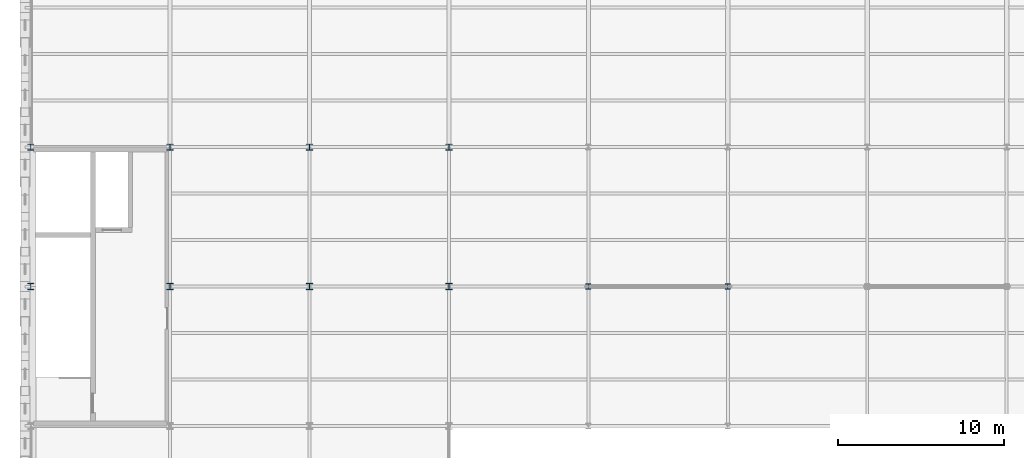
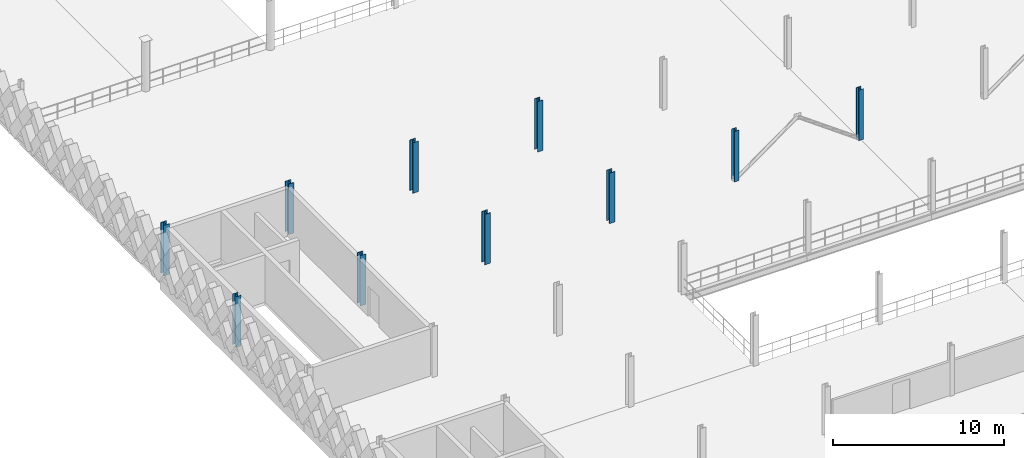
# One storey, part 7 of 47: 10 columns.
"""IFC4 building model written with IfcOpenShell, lengths in metres."""

from ifc_helpers import new_model, si_unit, direction, frame, origin, origin_2d, place, context, subcontext, project, spatial, i_section, extrude, material, material_profile, profile_set, type_object, element, save


model = new_model("IFC4")

# Units and contexts
model_context = context("Model", 3, precision=1e-05, world=origin(), true_north=direction((0.0, 1.0)))
body_context = subcontext(model_context, "Body", "Model", "MODEL_VIEW")
ifc_project = project(units=[si_unit("LENGTHUNIT", "METRE"), si_unit("AREAUNIT", "SQUARE_METRE"), si_unit("VOLUMEUNIT", "CUBIC_METRE"), si_unit("PLANEANGLEUNIT", "RADIAN"), si_unit("MASSUNIT", "GRAM", prefix="KILO"), si_unit("THERMODYNAMICTEMPERATUREUNIT", "KELVIN"), si_unit("POWERUNIT", "WATT")], contexts=[model_context])

# Site, building, storey
site_placement = place(None, origin())
site = spatial("IfcSite", under=ifc_project, at=site_placement, CompositionType="ELEMENT")
building_placement = place(site_placement, origin())
building = spatial("IfcBuilding", under=site, at=building_placement, Name="Tembeka Court Mobility Hub", CompositionType="ELEMENT")
storey_placement = place(building_placement, frame((0.0, 0.0, 19.800048828125)))
storey = spatial("IfcBuildingStorey", under=building, at=storey_placement, Name="L05", CompositionType="ELEMENT", Elevation=19.800048828125)

# Columns
ifc_material = material(Name="Steel S355", Category="steel")
ifc_material_profile_1 = material_profile(ifc_material, i_section(OverallWidth=0.373046875, OverallDepth=0.367919921875, WebThickness=0.014404296875, FlangeThickness=0.023681640625, FilletRadius=0.01513671875, at=origin_2d()), Name="UKC 356x368x177")
ifc_profile_set_1 = profile_set([ifc_material_profile_1], Name="Steel S355")
column_type_1 = type_object("IfcColumnType", Name="COL-C03", PredefinedType="COLUMN", material=ifc_profile_set_1)
for number, where, z_axis, x_axis, name in (
    (1, (0.0, 72.0, 0.0), (0.0, 0.0, 1.0), (1.0, 0.0, 0.0), "Column C03 (L05-008)"),
    (2, (0.0, 80.39990234375, 0.0), (0.0, 0.0, 1.0), (1.0, 0.0, 0.0), "Column C03 (L05-009)"),
    (3, (8.39990234375, 72.0, 0.0), (0.0, 0.0, 1.0), (1.0, 0.0, 0.0), "Column C03 (L05-020)"),
    (4, (8.39990234375, 80.39990234375, 0.0), (0.0, 0.0, 1.0), (1.0, 0.0, 0.0), "Column C03 (L05-021)"),
    (5, (16.800048828125, 72.0, 0.0), (0.0, 0.0, 1.0), (1.0, 0.0, 0.0), "Column C03 (L05-032)"),
    (6, (16.800048828125, 80.39990234375, 0.0), (0.0, 0.0, 1.0), (1.0, 0.0, 0.0), "Column C03 (L05-033)"),
    (7, (25.199951171875, 72.0, 0.0), (0.0, 0.0, 1.0), (1.0, 0.0, 0.0), "Column C03 (L05-043)"),
    (8, (25.199951171875, 80.39990234375, 0.0), (0.0, 0.0, 1.0), (1.0, 0.0, 0.0), "Column C03 (L05-044)"),
):
    element("IfcColumn", number, at=place(storey_placement, frame(where, z_axis=z_axis, x_axis=x_axis)), inside=storey, type_object=column_type_1, Name=name, PredefinedType="COLUMN", context=body_context, shape_type="SweptSolid", body=[
        extrude(i_section(OverallWidth=0.373046875, OverallDepth=0.367919921875, WebThickness=0.014404296875, FlangeThickness=0.023681640625, FilletRadius=0.01513671875, at=origin_2d()), origin(), (0.0, 0.0, 1.0), 3.599853515625),
    ])
ifc_material_profile_2 = material_profile(ifc_material, i_section(OverallWidth=0.30908203125, OverallDepth=0.321044921875, WebThickness=0.013916015625, FlangeThickness=0.021728515625, FilletRadius=0.01513671875, at=origin_2d()), Name="UKC 305x305x137")
ifc_profile_set_2 = profile_set([ifc_material_profile_2], Name="Steel S355")
column_type_2 = type_object("IfcColumnType", Name="COL-C04", PredefinedType="COLUMN", material=ifc_profile_set_2)
for number, where, z_axis, x_axis, name in (
    (9, (33.60009765625, 72.0, 0.0), (0.0, 0.0, 1.0), (1.0, 0.0, 0.0), "Column C04 (L05-054)"),
    (10, (42.0, 72.0, 0.0), (0.0, 0.0, 1.0), (1.0, 0.0, 0.0), "Column C04 (L05-066)"),
):
    element("IfcColumn", number, at=place(storey_placement, frame(where, z_axis=z_axis, x_axis=x_axis)), inside=storey, type_object=column_type_2, Name=name, PredefinedType="COLUMN", context=body_context, shape_type="SweptSolid", body=[
        extrude(i_section(OverallWidth=0.30908203125, OverallDepth=0.321044921875, WebThickness=0.013916015625, FlangeThickness=0.021728515625, FilletRadius=0.01513671875, at=origin_2d()), origin(), (0.0, 0.0, 1.0), 3.599853515625),
    ])

save(model, "model.ifc")
